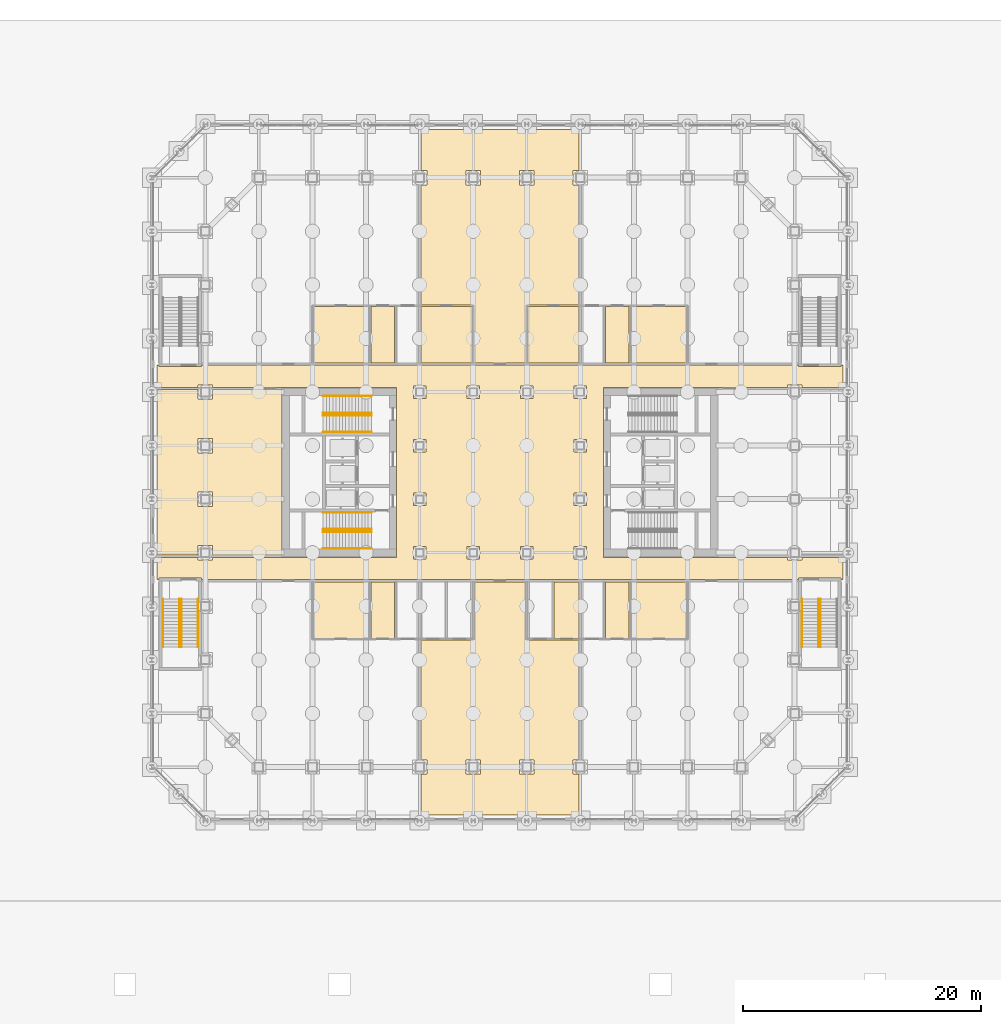
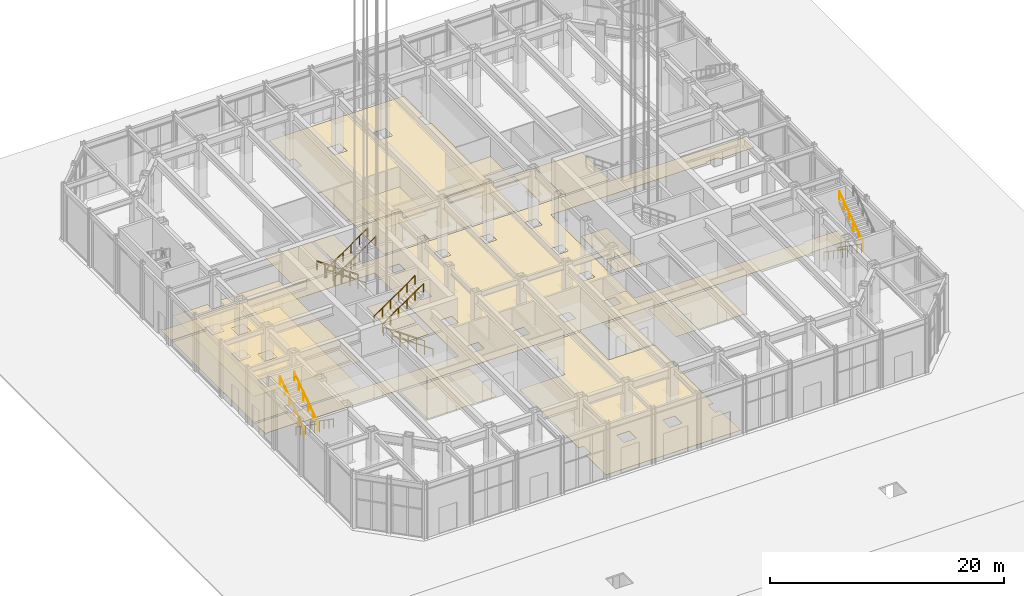
# One storey, part 36 of 39: 15 railings, 4 coverings.
"""IFC4 building model written with IfcOpenShell, lengths in metres."""

from ifc_helpers import new_model, si_unit, direction, frame, origin, origin_2d, place, context, subcontext, project, spatial, line, indexed_curve, circle, outline, extrude, material, layer, layer_set, type_object, element, save


model = new_model("IFC4")

# Units and contexts
model_context = context("Model", 3, precision=1e-05, world=origin(), true_north=direction((0.0, 1.0)))
body_context = subcontext(model_context, "Body", "Model", "MODEL_VIEW")
ifc_project = project(units=[si_unit("LENGTHUNIT", "METRE"), si_unit("AREAUNIT", "SQUARE_METRE"), si_unit("VOLUMEUNIT", "CUBIC_METRE"), si_unit("PLANEANGLEUNIT", "RADIAN"), si_unit("MASSUNIT", "GRAM", prefix="KILO")], contexts=[model_context])

# Site, building, storey
site_placement = place(None, origin())
site = spatial("IfcSite", under=ifc_project, at=site_placement, CompositionType="ELEMENT")
building_placement = place(site_placement, origin())
building = spatial("IfcBuilding", under=site, at=building_placement, Name="Msasa Ring Tower", CompositionType="ELEMENT")
storey_placement = place(building_placement, origin())
storey = spatial("IfcBuildingStorey", under=building, at=storey_placement, Name="L00", CompositionType="ELEMENT", Elevation=0.0)

# Coverings
ifc_material_1 = material(Name="Mineral fibre ceiling tiles on an exposed steel grid", Category="steel")
ifc_layer_1 = layer(ifc_material_1, 0.02001953125)
ifc_layer_set_1 = layer_set([ifc_layer_1], Name="C3 ACOUSTIC MINERAL FIBRE TILE CEILING 20")
covering_type_1 = type_object("IfcCoveringType", Name="C3 ACOUSTIC MINERAL FIBRE TILE CEILING 20", PredefinedType="CEILING", material=ifc_layer_set_1)
covering_1_placement = place(storey_placement, frame((0.0, 0.0, 2.699951171875)))
element("IfcCovering", 1, at=covering_1_placement, inside=storey, type_object=covering_type_1, Name="Acoustic Mineral Fibre Tile Ceiling 20 L00", PredefinedType="CEILING", context=body_context, shape_type="SweptSolid", body=[
    extrude(outline(indexed_curve([(-28.799560546875, 6.949462890625), (-25.3505859375, 6.949462890625), (-25.3505859375, 6.1494140625), (-24.1494140625, 6.1494140625), (-24.1494140625, 6.949462890625), (-18.300537109375, 6.949462890625), (-18.300537109375, -6.949462890625), (-24.1494140625, -6.949462890625), (-24.1494140625, -6.1494140625), (-25.3505859375, -6.1494140625), (-25.3505859375, -6.949462890625), (-28.799560546875, -6.949462890625)], segments=[line(1, 2, 3, 4, 5, 6, 7, 8, 9, 10, 11, 12, 1)], self_intersect=False), holes=[indexed_curve([(-24.1494140625, -1.6494140625), (-25.3505859375, -1.6494140625), (-25.3505859375, -2.8505859375), (-24.1494140625, -2.8505859375)], segments=[line(1, 2, 3, 4, 1)], self_intersect=False), indexed_curve([(-25.3505859375, 2.8505859375), (-25.3505859375, 1.6494140625), (-24.1494140625, 1.6494140625), (-24.1494140625, 2.8505859375)], segments=[line(1, 2, 3, 4, 1)], self_intersect=False)]), origin(), (0.0, 0.0, 1.0), 0.02001953125),
    extrude(outline(indexed_curve([(-2.3505859375, 9.200439453125), (-6.6494140625, 9.200439453125), (-6.6494140625, 13.939453125), (-2.3505859375, 13.939453125)], segments=[line(1, 2, 3, 4, 1)], self_intersect=False)), origin(), (0.0, 0.0, 1.0), 0.02001953125),
    extrude(outline(indexed_curve([(2.3505859375, 9.200439453125), (2.3505859375, 13.939453125), (6.6494140625, 13.939453125), (6.6494140625, 9.200439453125)], segments=[line(1, 2, 3, 4, 1)], self_intersect=False)), origin(), (0.0, 0.0, 1.0), 0.02001953125),
    extrude(outline(indexed_curve([(4.550537109375, -13.939453125), (4.550537109375, -9.200439453125), (6.6494140625, -9.200439453125), (6.6494140625, -13.939453125)], segments=[line(1, 2, 3, 4, 1)], self_intersect=False)), origin(), (0.0, 0.0, 1.0), 0.02001953125),
])
ifc_material_2 = material(Name="Honed granite tiles on a mortar bed", Category="masonry")
ifc_layer_2 = layer(ifc_material_2, 0.030029296875)
ifc_layer_set_2 = layer_set([ifc_layer_2], Name="F1 HONED GRANITE ON BEDDING 30")
covering_type_2 = type_object("IfcCoveringType", Name="F1 HONED GRANITE ON BEDDING 30", PredefinedType="FLOORING", material=ifc_layer_set_2)
covering_2_placement = place(storey_placement, origin())
element("IfcCovering", 2, at=covering_2_placement, inside=storey, type_object=covering_type_2, Name="Honed Granite On Bedding 30 L00", PredefinedType="FLOORING", context=body_context, shape_type="SweptSolid", body=[
    extrude(outline(indexed_curve([(-28.799560546875, 8.99951171875), (-28.625, 8.99951171875), (-28.625, 8.87451171875), (-25.074951171875, 8.87451171875), (-25.074951171875, 8.99951171875), (25.074951171875, 8.99951171875), (25.074951171875, 8.87451171875), (28.625, 8.87451171875), (28.625, 8.99951171875), (28.799560546875, 8.99951171875), (28.799560546875, 7.150390625), (25.3505859375, 7.150390625), (25.3505859375, 7.3505859375), (24.1494140625, 7.3505859375), (24.1494140625, 7.150390625), (8.699462890625, 7.150390625), (8.699462890625, -7.150390625), (24.1494140625, -7.150390625), (24.1494140625, -7.3505859375), (25.3505859375, -7.3505859375), (25.3505859375, -7.150390625), (28.799560546875, -7.150390625), (28.799560546875, -8.99951171875), (28.625, -8.99951171875), (28.625, -8.87451171875), (25.074951171875, -8.87451171875), (25.074951171875, -8.99951171875), (-25.074951171875, -8.99951171875), (-25.074951171875, -8.87451171875), (-28.625, -8.87451171875), (-28.625, -8.99951171875), (-28.799560546875, -8.99951171875), (-28.799560546875, -7.150390625), (-25.3505859375, -7.150390625), (-25.3505859375, -7.3505859375), (-24.1494140625, -7.3505859375), (-24.1494140625, -7.150390625), (-8.699462890625, -7.150390625), (-8.699462890625, 7.150390625), (-24.1494140625, 7.150390625), (-24.1494140625, 7.3505859375), (-25.3505859375, 7.3505859375), (-25.3505859375, 7.150390625), (-28.799560546875, 7.150390625)], segments=[line(1, 2, 3, 4, 5, 6, 7, 8, 9, 10, 11, 12, 13, 14, 15, 16, 17, 18, 19, 20, 21, 22, 23, 24, 25, 26, 27, 28, 29, 30, 31, 32, 33, 34, 35, 36, 37, 38, 39, 40, 41, 42, 43, 44, 1)], self_intersect=False), holes=[indexed_curve([(-7.275390625, -2.775390625), (-6.224609375, -2.775390625), (-6.224609375, -1.724609375), (-7.275390625, -1.724609375)], segments=[line(1, 2, 3, 4, 1)], self_intersect=False), indexed_curve([(-7.275390625, 1.724609375), (-6.224609375, 1.724609375), (-6.224609375, 2.775390625), (-7.275390625, 2.775390625)], segments=[line(1, 2, 3, 4, 1)], self_intersect=False), indexed_curve([(-7.275390625, 6.224609375), (-6.224609375, 6.224609375), (-6.224609375, 7.275390625), (-7.275390625, 7.275390625)], segments=[line(1, 2, 3, 4, 1)], self_intersect=False), indexed_curve([(-6.224609375, -7.275390625), (-6.224609375, -6.224609375), (-7.275390625, -6.224609375), (-7.275390625, -7.275390625)], segments=[line(1, 2, 3, 4, 1)], self_intersect=False), indexed_curve([(-2.775390625, -7.275390625), (-1.724609375, -7.275390625), (-1.724609375, -6.224609375), (-2.775390625, -6.224609375)], segments=[line(1, 2, 3, 4, 1)], self_intersect=False), indexed_curve([(1.724609375, -7.275390625), (2.775390625, -7.275390625), (2.775390625, -6.224609375), (1.724609375, -6.224609375)], segments=[line(1, 2, 3, 4, 1)], self_intersect=False), indexed_curve([(7.275390625, 1.724609375), (7.275390625, 2.775390625), (6.224609375, 2.775390625), (6.224609375, 1.724609375)], segments=[line(1, 2, 3, 4, 1)], self_intersect=False), indexed_curve([(-1.724609375, 6.224609375), (-1.724609375, 7.275390625), (-2.775390625, 7.275390625), (-2.775390625, 6.224609375)], segments=[line(1, 2, 3, 4, 1)], self_intersect=False), indexed_curve([(2.775390625, 6.224609375), (2.775390625, 7.275390625), (1.724609375, 7.275390625), (1.724609375, 6.224609375)], segments=[line(1, 2, 3, 4, 1)], self_intersect=False), indexed_curve([(6.224609375, 6.224609375), (7.275390625, 6.224609375), (7.275390625, 7.275390625), (6.224609375, 7.275390625)], segments=[line(1, 2, 3, 4, 1)], self_intersect=False), indexed_curve([(6.224609375, -7.275390625), (7.275390625, -7.275390625), (7.275390625, -6.224609375), (6.224609375, -6.224609375)], segments=[line(1, 2, 3, 4, 1)], self_intersect=False), indexed_curve([(6.224609375, -2.775390625), (7.275390625, -2.775390625), (7.275390625, -1.724609375), (6.224609375, -1.724609375)], segments=[line(1, 2, 3, 4, 1)], self_intersect=False)]), origin(), (0.0, 0.0, 1.0), 0.030029296875),
    extrude(outline(indexed_curve([(-11.87451171875, -1.275390625), (-9.300537109375, -1.275390625), (-9.300537109375, -3.074462890625), (-11.87451171875, -3.074462890625)], segments=[line(1, 2, 3, 4, 1)], self_intersect=False)), origin(), (0.0, 0.0, 1.0), 0.030029296875),
    extrude(outline(indexed_curve([(-11.87451171875, 3.074462890625), (-9.300537109375, 3.074462890625), (-9.300537109375, -1.0244140625), (-11.87451171875, -1.0244140625)], segments=[line(1, 2, 3, 4, 1)], self_intersect=False)), origin(), (0.0, 0.0, 1.0), 0.030029296875),
    extrude(outline(indexed_curve([(-6.6494140625, -28.799560546875), (-6.6494140625, -25.3505859375), (-6.1494140625, -25.3505859375), (-6.1494140625, -24.1494140625), (-6.6494140625, -24.1494140625), (-6.6494140625, -14.060546875), (-2.1494140625, -14.060546875), (-2.1494140625, -9.200439453125), (2.1494140625, -9.200439453125), (2.1494140625, -14.060546875), (6.6494140625, -14.060546875), (6.6494140625, -24.1494140625), (6.1494140625, -24.1494140625), (6.1494140625, -25.3505859375), (6.6494140625, -25.3505859375), (6.6494140625, -28.799560546875)], segments=[line(1, 2, 3, 4, 5, 6, 7, 8, 9, 10, 11, 12, 13, 14, 15, 16, 1)], self_intersect=False), holes=[indexed_curve([(-2.8505859375, -25.3505859375), (-1.6494140625, -25.3505859375), (-1.6494140625, -24.1494140625), (-2.8505859375, -24.1494140625)], segments=[line(1, 2, 3, 4, 1)], self_intersect=False), indexed_curve([(2.8505859375, -25.3505859375), (2.8505859375, -24.1494140625), (1.6494140625, -24.1494140625), (1.6494140625, -25.3505859375)], segments=[line(1, 2, 3, 4, 1)], self_intersect=False)]), origin(), (0.0, 0.0, 1.0), 0.030029296875),
    extrude(outline(indexed_curve([(-6.6494140625, 14.060546875), (-6.6494140625, 24.1494140625), (-6.1494140625, 24.1494140625), (-6.1494140625, 25.3505859375), (-6.6494140625, 25.3505859375), (-6.6494140625, 28.799560546875), (6.6494140625, 28.799560546875), (6.6494140625, 25.3505859375), (6.1494140625, 25.3505859375), (6.1494140625, 24.1494140625), (6.6494140625, 24.1494140625), (6.6494140625, 14.060546875), (2.1494140625, 14.060546875), (2.1494140625, 9.200439453125), (-2.1494140625, 9.200439453125), (-2.1494140625, 14.060546875)], segments=[line(1, 2, 3, 4, 5, 6, 7, 8, 9, 10, 11, 12, 13, 14, 15, 16, 1)], self_intersect=False), holes=[indexed_curve([(-2.8505859375, 24.1494140625), (-1.6494140625, 24.1494140625), (-1.6494140625, 25.3505859375), (-2.8505859375, 25.3505859375)], segments=[line(1, 2, 3, 4, 1)], self_intersect=False), indexed_curve([(2.8505859375, 24.1494140625), (2.8505859375, 25.3505859375), (1.6494140625, 25.3505859375), (1.6494140625, 24.1494140625)], segments=[line(1, 2, 3, 4, 1)], self_intersect=False)]), origin(), (0.0, 0.0, 1.0), 0.030029296875),
    extrude(outline(indexed_curve([(9.300537109375, -1.275390625), (11.87451171875, -1.275390625), (11.87451171875, -3.074462890625), (9.300537109375, -3.074462890625)], segments=[line(1, 2, 3, 4, 1)], self_intersect=False)), origin(), (0.0, 0.0, 1.0), 0.030029296875),
    extrude(outline(indexed_curve([(9.300537109375, 3.074462890625), (11.87451171875, 3.074462890625), (11.87451171875, -1.0244140625), (9.300537109375, -1.0244140625)], segments=[line(1, 2, 3, 4, 1)], self_intersect=False)), origin(), (0.0, 0.0, 1.0), 0.030029296875),
])
ifc_material_3 = material(Name="Wool-blend carpet on felt underlay", Category="textile")
ifc_layer_3 = layer(ifc_material_3, 0.011962890625)
ifc_layer_set_3 = layer_set([ifc_layer_3], Name="F2 CARPET ON UNDERLAY 12")
covering_type_3 = type_object("IfcCoveringType", Name="F2 CARPET ON UNDERLAY 12", PredefinedType="FLOORING", material=ifc_layer_set_3)
covering_3_placement = place(storey_placement, origin())
element("IfcCovering", 3, at=covering_3_placement, inside=storey, type_object=covering_type_3, Name="Carpet On Underlay 12 L00", PredefinedType="FLOORING", context=body_context, shape_type="SweptSolid", body=[
    extrude(outline(indexed_curve([(-15.6494140625, -9.200439453125), (-11.050537109375, -9.200439453125), (-11.050537109375, -13.939453125), (-15.6494140625, -13.939453125)], segments=[line(1, 2, 3, 4, 1)], self_intersect=False)), origin(), (0.0, 0.0, 1.0), 0.011962890625),
    extrude(outline(indexed_curve([(-15.6494140625, 13.939453125), (-11.050537109375, 13.939453125), (-11.050537109375, 9.200439453125), (-15.6494140625, 9.200439453125)], segments=[line(1, 2, 3, 4, 1)], self_intersect=False)), origin(), (0.0, 0.0, 1.0), 0.011962890625),
    extrude(outline(indexed_curve([(-10.849609375, -9.200439453125), (-8.8505859375, -9.200439453125), (-8.8505859375, -13.939453125), (-10.849609375, -13.939453125)], segments=[line(1, 2, 3, 4, 1)], self_intersect=False)), origin(), (0.0, 0.0, 1.0), 0.011962890625),
    extrude(outline(indexed_curve([(-10.849609375, 13.939453125), (-8.8505859375, 13.939453125), (-8.8505859375, 9.200439453125), (-10.849609375, 9.200439453125)], segments=[line(1, 2, 3, 4, 1)], self_intersect=False)), origin(), (0.0, 0.0, 1.0), 0.011962890625),
    extrude(outline(indexed_curve([(8.8505859375, -9.200439453125), (10.849609375, -9.200439453125), (10.849609375, -13.939453125), (8.8505859375, -13.939453125)], segments=[line(1, 2, 3, 4, 1)], self_intersect=False)), origin(), (0.0, 0.0, 1.0), 0.011962890625),
    extrude(outline(indexed_curve([(8.8505859375, 13.939453125), (10.849609375, 13.939453125), (10.849609375, 9.200439453125), (8.8505859375, 9.200439453125)], segments=[line(1, 2, 3, 4, 1)], self_intersect=False)), origin(), (0.0, 0.0, 1.0), 0.011962890625),
    extrude(outline(indexed_curve([(11.050537109375, -9.200439453125), (15.6494140625, -9.200439453125), (15.6494140625, -13.939453125), (11.050537109375, -13.939453125)], segments=[line(1, 2, 3, 4, 1)], self_intersect=False)), origin(), (0.0, 0.0, 1.0), 0.011962890625),
    extrude(outline(indexed_curve([(11.050537109375, 13.939453125), (15.6494140625, 13.939453125), (15.6494140625, 9.200439453125), (11.050537109375, 9.200439453125)], segments=[line(1, 2, 3, 4, 1)], self_intersect=False)), origin(), (0.0, 0.0, 1.0), 0.011962890625),
])
ifc_material_4 = material(Name="Welded vinyl safety sheet flooring", Category="vinyl")
ifc_layer_4 = layer(ifc_material_4, 0.0029296875)
ifc_layer_set_4 = layer_set([ifc_layer_4], Name="F5 RESILIENT SHEET FLOORING 3")
covering_type_4 = type_object("IfcCoveringType", Name="F5 RESILIENT SHEET FLOORING 3", PredefinedType="FLOORING", material=ifc_layer_set_4)
covering_4_placement = place(storey_placement, origin())
element("IfcCovering", 4, at=covering_4_placement, inside=storey, type_object=covering_type_4, Name="Resilient Sheet Flooring 3 L00", PredefinedType="FLOORING", context=body_context, shape_type="SweptSolid", body=[
    extrude(outline(indexed_curve([(-18.300537109375, 6.949462890625), (-18.300537109375, -6.949462890625), (-24.1494140625, -6.949462890625), (-24.1494140625, -6.1494140625), (-25.3505859375, -6.1494140625), (-25.3505859375, -6.949462890625), (-28.799560546875, -6.949462890625), (-28.799560546875, 6.949462890625), (-25.3505859375, 6.949462890625), (-25.3505859375, 6.1494140625), (-24.1494140625, 6.1494140625), (-24.1494140625, 6.949462890625)], segments=[line(1, 2, 3, 4, 5, 6, 7, 8, 9, 10, 11, 12, 1)], self_intersect=False), holes=[indexed_curve([(-24.1494140625, -1.6494140625), (-25.3505859375, -1.6494140625), (-25.3505859375, -2.8505859375), (-24.1494140625, -2.8505859375)], segments=[line(1, 2, 3, 4, 1)], self_intersect=False), indexed_curve([(-25.3505859375, 2.8505859375), (-25.3505859375, 1.6494140625), (-24.1494140625, 1.6494140625), (-24.1494140625, 2.8505859375)], segments=[line(1, 2, 3, 4, 1)], self_intersect=False)]), origin(), (0.0, 0.0, 1.0), 0.0029296875),
    extrude(outline(indexed_curve([(-6.6494140625, 9.200439453125), (-6.6494140625, 13.939453125), (-2.3505859375, 13.939453125), (-2.3505859375, 9.200439453125)], segments=[line(1, 2, 3, 4, 1)], self_intersect=False)), origin(), (0.0, 0.0, 1.0), 0.0029296875),
    extrude(outline(indexed_curve([(2.3505859375, 9.200439453125), (2.3505859375, 13.939453125), (6.6494140625, 13.939453125), (6.6494140625, 9.200439453125)], segments=[line(1, 2, 3, 4, 1)], self_intersect=False)), origin(), (0.0, 0.0, 1.0), 0.0029296875),
    extrude(outline(indexed_curve([(4.550537109375, -13.939453125), (4.550537109375, -9.200439453125), (6.6494140625, -9.200439453125), (6.6494140625, -13.939453125)], segments=[line(1, 2, 3, 4, 1)], self_intersect=False)), origin(), (0.0, 0.0, 1.0), 0.0029296875),
])

# Railings
ifc_material_5 = material(Name="Stainless steel", Category="steel")
railing_type = type_object("IfcRailingType", Name="HR1 HANDRAIL 900", PredefinedType="HANDRAIL", material=ifc_material_5)
for number, where, name in (
    (5, (-10.800048828125, -6.39990234375, 0.1875), "Handrail stair SWA L00 1"),
    (6, (-10.800048828125, -5.0, 0.1875), "Handrail stair SWA L00 2"),
):
    element("IfcRailing", number, at=place(storey_placement, frame(where)), inside=storey, type_object=railing_type, Name=name, PredefinedType="HANDRAIL", context=body_context, shape_type="SweptSolid", body=[
        extrude(circle(Radius=0.02392578125, at=origin_2d()), frame((0.0, 0.0, 0.8759765625), z_axis=(-0.821373187493, 0.0, 0.570391170047), x_axis=(0.0, -1.0, 0.0)), (0.0, 0.0, 1.0), 4.930908203125),
        extrude(circle(Radius=0.02099609375, at=origin_2d()), origin(), (0.0, 0.0, 1.0), 0.851806640625),
        extrude(circle(Radius=0.02099609375, at=origin_2d()), frame((-0.81005859375, 0.0, 0.5625)), (0.0, 0.0, 1.0), 0.851806640625),
        extrude(circle(Radius=0.02099609375, at=origin_2d()), frame((-1.6201171875, 0.0, 1.125)), (0.0, 0.0, 1.0), 0.851806640625),
        extrude(circle(Radius=0.02099609375, at=origin_2d()), frame((-2.429931640625, 0.0, 1.6875)), (0.0, 0.0, 1.0), 0.851806640625),
        extrude(circle(Radius=0.02099609375, at=origin_2d()), frame((-3.239990234375, 0.0, 2.25)), (0.0, 0.0, 1.0), 0.851806640625),
        extrude(circle(Radius=0.02099609375, at=origin_2d()), frame((-4.050048828125, 0.0, 2.8125)), (0.0, 0.0, 1.0), 0.851806640625),
    ])
for number, where, name in (
    (7, (-14.85009765625, -4.77490234375, 3.1875), "Handrail stair SWA L00 3"),
    (8, (-14.85009765625, -3.375, 3.1875), "Handrail stair SWA L00 4"),
):
    element("IfcRailing", number, at=place(storey_placement, frame(where)), inside=storey, type_object=railing_type, Name=name, PredefinedType="HANDRAIL", context=body_context, shape_type="SweptSolid", body=[
        extrude(circle(Radius=0.02392578125, at=origin_2d()), frame((0.0, 0.0, 0.8759765625), z_axis=(0.821373187493, 0.0, 0.570391170047), x_axis=(0.0, 1.0, 0.0)), (0.0, 0.0, 1.0), 4.930908203125),
        extrude(circle(Radius=0.02099609375, at=origin_2d()), origin(), (0.0, 0.0, 1.0), 0.851806640625),
        extrude(circle(Radius=0.02099609375, at=origin_2d()), frame((0.81005859375, 0.0, 0.5625)), (0.0, 0.0, 1.0), 0.851806640625),
        extrude(circle(Radius=0.02099609375, at=origin_2d()), frame((1.6201171875, 0.0, 1.125)), (0.0, 0.0, 1.0), 0.851806640625),
        extrude(circle(Radius=0.02099609375, at=origin_2d()), frame((2.429931640625, 0.0, 1.6875)), (0.0, 0.0, 1.0), 0.851806640625),
        extrude(circle(Radius=0.02099609375, at=origin_2d()), frame((3.239990234375, 0.0, 2.25)), (0.0, 0.0, 1.0), 0.851806640625),
        extrude(circle(Radius=0.02099609375, at=origin_2d()), frame((4.050048828125, 0.0, 2.8125)), (0.0, 0.0, 1.0), 0.851806640625),
    ])
for number, where, name in (
    (9, (-10.800048828125, 5.0, 0.1875), "Handrail stair SWB L00 1"),
    (10, (-10.800048828125, 6.39990234375, 0.1875), "Handrail stair SWB L00 2"),
):
    element("IfcRailing", number, at=place(storey_placement, frame(where)), inside=storey, type_object=railing_type, Name=name, PredefinedType="HANDRAIL", context=body_context, shape_type="SweptSolid", body=[
        extrude(circle(Radius=0.02392578125, at=origin_2d()), frame((0.0, 0.0, 0.8759765625), z_axis=(-0.821373187493, 0.0, 0.570391170047), x_axis=(0.0, -1.0, 0.0)), (0.0, 0.0, 1.0), 4.930908203125),
        extrude(circle(Radius=0.02099609375, at=origin_2d()), origin(), (0.0, 0.0, 1.0), 0.851806640625),
        extrude(circle(Radius=0.02099609375, at=origin_2d()), frame((-0.81005859375, 0.0, 0.5625)), (0.0, 0.0, 1.0), 0.851806640625),
        extrude(circle(Radius=0.02099609375, at=origin_2d()), frame((-1.6201171875, 0.0, 1.125)), (0.0, 0.0, 1.0), 0.851806640625),
        extrude(circle(Radius=0.02099609375, at=origin_2d()), frame((-2.429931640625, 0.0, 1.6875)), (0.0, 0.0, 1.0), 0.851806640625),
        extrude(circle(Radius=0.02099609375, at=origin_2d()), frame((-3.239990234375, 0.0, 2.25)), (0.0, 0.0, 1.0), 0.851806640625),
        extrude(circle(Radius=0.02099609375, at=origin_2d()), frame((-4.050048828125, 0.0, 2.8125)), (0.0, 0.0, 1.0), 0.851806640625),
    ])
for number, where, name in (
    (11, (-14.85009765625, 3.375, 3.1875), "Handrail stair SWB L00 3"),
    (12, (-14.85009765625, 4.77490234375, 3.1875), "Handrail stair SWB L00 4"),
):
    element("IfcRailing", number, at=place(storey_placement, frame(where)), inside=storey, type_object=railing_type, Name=name, PredefinedType="HANDRAIL", context=body_context, shape_type="SweptSolid", body=[
        extrude(circle(Radius=0.02392578125, at=origin_2d()), frame((0.0, 0.0, 0.8759765625), z_axis=(0.821373187493, 0.0, 0.570391170047), x_axis=(0.0, 1.0, 0.0)), (0.0, 0.0, 1.0), 4.930908203125),
        extrude(circle(Radius=0.02099609375, at=origin_2d()), origin(), (0.0, 0.0, 1.0), 0.851806640625),
        extrude(circle(Radius=0.02099609375, at=origin_2d()), frame((0.81005859375, 0.0, 0.5625)), (0.0, 0.0, 1.0), 0.851806640625),
        extrude(circle(Radius=0.02099609375, at=origin_2d()), frame((1.6201171875, 0.0, 1.125)), (0.0, 0.0, 1.0), 0.851806640625),
        extrude(circle(Radius=0.02099609375, at=origin_2d()), frame((2.429931640625, 0.0, 1.6875)), (0.0, 0.0, 1.0), 0.851806640625),
        extrude(circle(Radius=0.02099609375, at=origin_2d()), frame((3.239990234375, 0.0, 2.25)), (0.0, 0.0, 1.0), 0.851806640625),
        extrude(circle(Radius=0.02099609375, at=origin_2d()), frame((4.050048828125, 0.0, 2.8125)), (0.0, 0.0, 1.0), 0.851806640625),
    ])
for number, where, name in (
    (13, (25.375, -10.625, 0.1875), "Handrail podium stair PES L00 1"),
    (14, (26.77490234375, -10.625, 0.1875), "Handrail podium stair PES L00 2"),
):
    element("IfcRailing", number, at=place(storey_placement, frame(where)), inside=storey, type_object=railing_type, Name=name, PredefinedType="HANDRAIL", context=body_context, shape_type="SweptSolid", body=[
        extrude(circle(Radius=0.02392578125, at=origin_2d()), frame((0.0, 0.0, 0.8759765625), z_axis=(0.0, -0.821373187493, 0.570391170047), x_axis=(1.0, 0.0, 0.0)), (0.0, 0.0, 1.0), 4.930908203125),
        extrude(circle(Radius=0.02099609375, at=origin_2d()), origin(), (0.0, 0.0, 1.0), 0.851806640625),
        extrude(circle(Radius=0.02099609375, at=origin_2d()), frame((0.0, -0.81005859375, 0.5625)), (0.0, 0.0, 1.0), 0.851806640625),
        extrude(circle(Radius=0.02099609375, at=origin_2d()), frame((0.0, -1.6201171875, 1.125)), (0.0, 0.0, 1.0), 0.851806640625),
        extrude(circle(Radius=0.02099609375, at=origin_2d()), frame((0.0, -2.429931640625, 1.6875)), (0.0, 0.0, 1.0), 0.851806640625),
        extrude(circle(Radius=0.02099609375, at=origin_2d()), frame((0.0, -3.239990234375, 2.25)), (0.0, 0.0, 1.0), 0.851806640625),
        extrude(circle(Radius=0.02099609375, at=origin_2d()), frame((0.0, -4.050048828125, 2.8125)), (0.0, 0.0, 1.0), 0.851806640625),
    ])
railing_placement = place(storey_placement, frame((26.925048828125, -14.675048828125, 3.1875)))
element("IfcRailing", 15, at=railing_placement, inside=storey, type_object=railing_type, Name="Handrail podium stair PES L00 3", PredefinedType="HANDRAIL", context=body_context, shape_type="SweptSolid", body=[
    extrude(circle(Radius=0.02392578125, at=origin_2d()), frame((0.0, 0.0, 0.8759765625), z_axis=(0.0, 0.821373187493, 0.570391170047), x_axis=(-1.0, 0.0, 0.0)), (0.0, 0.0, 1.0), 4.930908203125),
    extrude(circle(Radius=0.02099609375, at=origin_2d()), origin(), (0.0, 0.0, 1.0), 0.851806640625),
    extrude(circle(Radius=0.02099609375, at=origin_2d()), frame((0.0, 0.81005859375, 0.5625)), (0.0, 0.0, 1.0), 0.851806640625),
    extrude(circle(Radius=0.02099609375, at=origin_2d()), frame((0.0, 1.6201171875, 1.125)), (0.0, 0.0, 1.0), 0.851806640625),
    extrude(circle(Radius=0.02099609375, at=origin_2d()), frame((0.0, 2.429931640625, 1.6875)), (0.0, 0.0, 1.0), 0.851806640625),
    extrude(circle(Radius=0.02099609375, at=origin_2d()), frame((0.0, 3.239990234375, 2.25)), (0.0, 0.0, 1.0), 0.851806640625),
    extrude(circle(Radius=0.02099609375, at=origin_2d()), frame((0.0, 4.050048828125, 2.8125)), (0.0, 0.0, 1.0), 0.851806640625),
])
for number, where, name in (
    (16, (-26.77490234375, -10.625, 0.1875), "Handrail podium stair PWS L00 1"),
    (17, (-25.375, -10.625, 0.1875), "Handrail podium stair PWS L00 2"),
):
    element("IfcRailing", number, at=place(storey_placement, frame(where)), inside=storey, type_object=railing_type, Name=name, PredefinedType="HANDRAIL", context=body_context, shape_type="SweptSolid", body=[
        extrude(circle(Radius=0.02392578125, at=origin_2d()), frame((0.0, 0.0, 0.8759765625), z_axis=(0.0, -0.821373187493, 0.570391170047), x_axis=(1.0, 0.0, 0.0)), (0.0, 0.0, 1.0), 4.930908203125),
        extrude(circle(Radius=0.02099609375, at=origin_2d()), origin(), (0.0, 0.0, 1.0), 0.851806640625),
        extrude(circle(Radius=0.02099609375, at=origin_2d()), frame((0.0, -0.81005859375, 0.5625)), (0.0, 0.0, 1.0), 0.851806640625),
        extrude(circle(Radius=0.02099609375, at=origin_2d()), frame((0.0, -1.6201171875, 1.125)), (0.0, 0.0, 1.0), 0.851806640625),
        extrude(circle(Radius=0.02099609375, at=origin_2d()), frame((0.0, -2.429931640625, 1.6875)), (0.0, 0.0, 1.0), 0.851806640625),
        extrude(circle(Radius=0.02099609375, at=origin_2d()), frame((0.0, -3.239990234375, 2.25)), (0.0, 0.0, 1.0), 0.851806640625),
        extrude(circle(Radius=0.02099609375, at=origin_2d()), frame((0.0, -4.050048828125, 2.8125)), (0.0, 0.0, 1.0), 0.851806640625),
    ])
for number, where, name in (
    (18, (-28.324951171875, -14.675048828125, 3.1875), "Handrail podium stair PWS L00 3"),
    (19, (-26.925048828125, -14.675048828125, 3.1875), "Handrail podium stair PWS L00 4"),
):
    element("IfcRailing", number, at=place(storey_placement, frame(where)), inside=storey, type_object=railing_type, Name=name, PredefinedType="HANDRAIL", context=body_context, shape_type="SweptSolid", body=[
        extrude(circle(Radius=0.02392578125, at=origin_2d()), frame((0.0, 0.0, 0.8759765625), z_axis=(0.0, 0.821373187493, 0.570391170047), x_axis=(-1.0, 0.0, 0.0)), (0.0, 0.0, 1.0), 4.930908203125),
        extrude(circle(Radius=0.02099609375, at=origin_2d()), origin(), (0.0, 0.0, 1.0), 0.851806640625),
        extrude(circle(Radius=0.02099609375, at=origin_2d()), frame((0.0, 0.81005859375, 0.5625)), (0.0, 0.0, 1.0), 0.851806640625),
        extrude(circle(Radius=0.02099609375, at=origin_2d()), frame((0.0, 1.6201171875, 1.125)), (0.0, 0.0, 1.0), 0.851806640625),
        extrude(circle(Radius=0.02099609375, at=origin_2d()), frame((0.0, 2.429931640625, 1.6875)), (0.0, 0.0, 1.0), 0.851806640625),
        extrude(circle(Radius=0.02099609375, at=origin_2d()), frame((0.0, 3.239990234375, 2.25)), (0.0, 0.0, 1.0), 0.851806640625),
        extrude(circle(Radius=0.02099609375, at=origin_2d()), frame((0.0, 4.050048828125, 2.8125)), (0.0, 0.0, 1.0), 0.851806640625),
    ])

save(model, "model.ifc")
